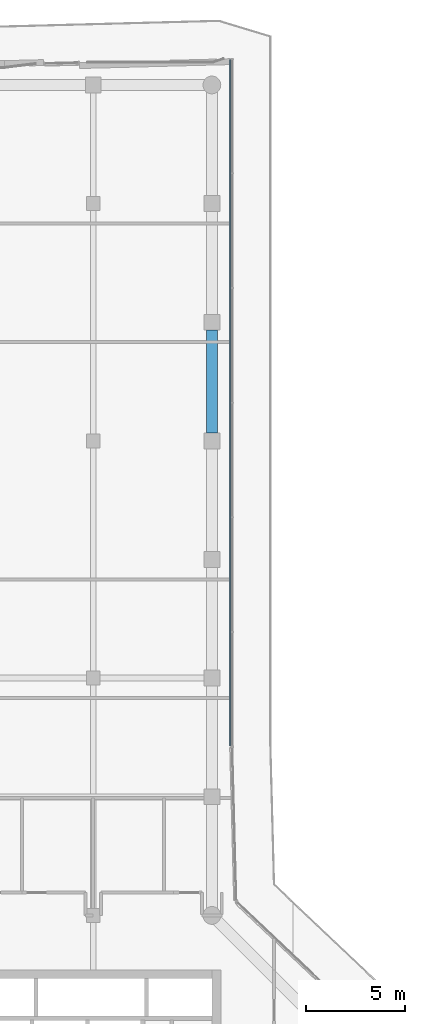
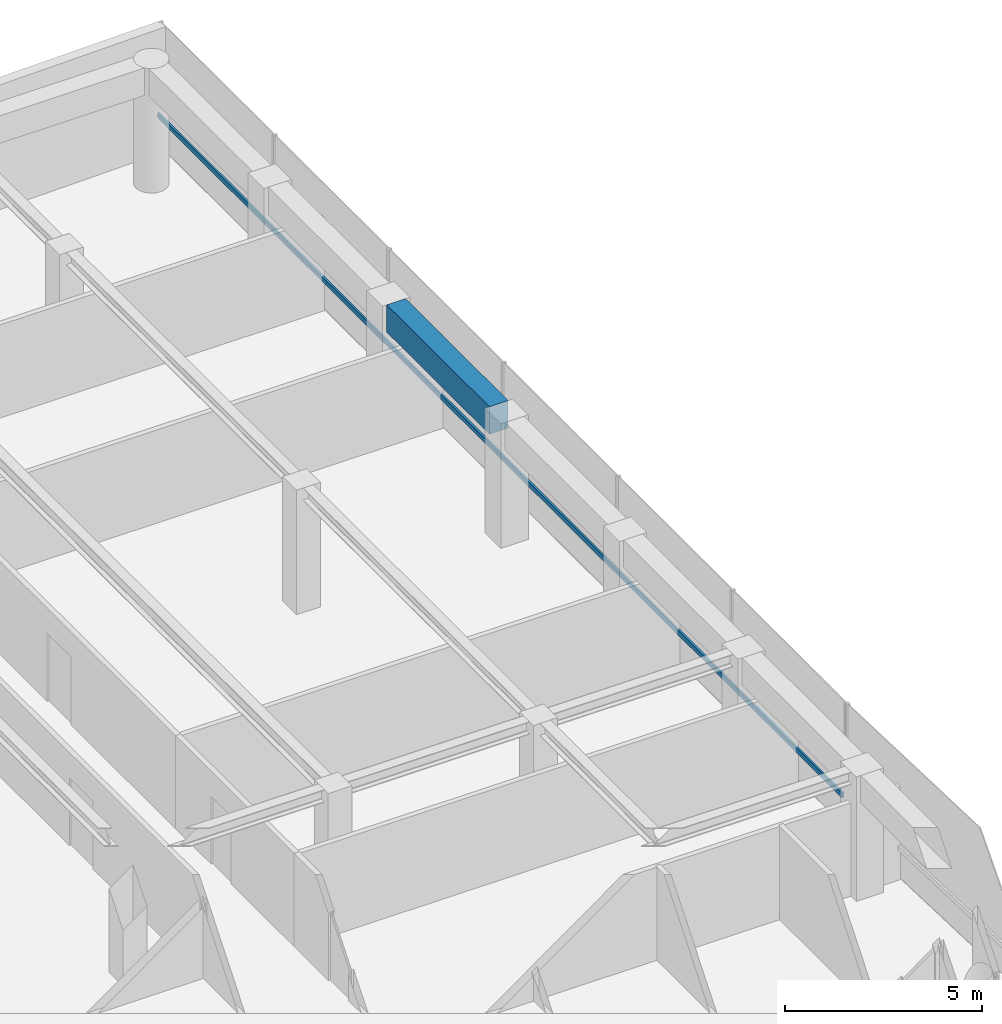
# One storey, part 12 of 20: 1 beam, 1 member, 1 element without a shape of its own.
"""IFC4 building model written with IfcOpenShell, lengths in metres."""

from ifc_helpers import new_model, si_unit, direction, frame, origin, origin_2d, place, context, subcontext, project, spatial, rectangle, extrude, material, layer, layer_set, material_profile, profile_set, type_object, element, aggregate, save


model = new_model("IFC4")

# Units and contexts
model_context = context("Model", 3, precision=1e-05, world=origin(), true_north=direction((0.0, 1.0)))
body_context = subcontext(model_context, "Body", "Model", "MODEL_VIEW")
ifc_project = project(units=[si_unit("LENGTHUNIT", "METRE"), si_unit("AREAUNIT", "SQUARE_METRE"), si_unit("VOLUMEUNIT", "CUBIC_METRE"), si_unit("PLANEANGLEUNIT", "RADIAN"), si_unit("MASSUNIT", "GRAM", prefix="KILO")], contexts=[model_context])

# Site, building, storey
site_placement = place(None, origin())
site = spatial("IfcSite", under=ifc_project, at=site_placement, CompositionType="ELEMENT")
building_placement = place(site_placement, origin())
building = spatial("IfcBuilding", under=site, at=building_placement, Name="Welwitschia Terrace Campus", CompositionType="ELEMENT")
storey_placement = place(building_placement, frame((0.0, 0.0, 222.199951171875)))
storey = spatial("IfcBuildingStorey", under=building, at=storey_placement, Name="L49", CompositionType="ELEMENT", Elevation=222.199951171875)

# Beam
ifc_material_1 = material(Name="Concrete C50/60", Category="concrete")
ifc_material_profile_1 = material_profile(ifc_material_1, rectangle(XDim=0.550048828125, YDim=0.85009765625, at=origin_2d()))
ifc_profile_set_1 = profile_set([ifc_material_profile_1], Name="Concrete C50/60")
beam_type = type_object("IfcBeamType", Name="Ring spandrel 550x850", PredefinedType="SPANDREL", material=ifc_profile_set_1)
beam_placement = place(storey_placement, frame((24.0, 52.400390625, 3.425048828125), z_axis=(0.0, 1.0, 0.0), x_axis=(-1.0, 0.0, 0.0)))
element("IfcBeam", 1, at=beam_placement, inside=storey, type_object=beam_type, Name="Spandrel SP3", PredefinedType="SPANDREL", context=body_context, shape_type="SweptSolid", body=[
    extrude(rectangle(XDim=0.550048828125, YDim=0.85009765625, at=origin_2d()), origin(), (0.0, 0.0, 1.0), 5.19921875),
])

# Curtain wall, member
ifc_material_2 = material(Name="Bronze anodised aluminium", Category="aluminium")
ifc_layer = layer(ifc_material_2, 0.1201171875)
ifc_layer_set = layer_set([ifc_layer], Name="Bronze anodised aluminium")
curtain_wall_type = type_object("IfcCurtainWallType", Name="Curtain wall CW2 tower 6000", PredefinedType="NOTDEFINED", material=ifc_layer_set)
curtain_wall_placement = place(storey_placement, origin())
curtain_wall = element("IfcCurtainWall", 2, at=curtain_wall_placement, inside=storey, type_object=curtain_wall_type, Name="CW L49.8.0", PredefinedType="NOTDEFINED")
ifc_material_3 = material(Name="Bronze anodised aluminium", Category="aluminium")
ifc_material_profile_2 = material_profile(ifc_material_3, rectangle(XDim=0.06005859375, YDim=0.14990234375, at=origin_2d()))
ifc_profile_set_2 = profile_set([ifc_material_profile_2], Name="Bronze anodised aluminium")
member_type = type_object("IfcMemberType", Name="Transom 60x150", PredefinedType="USERDEFINED", material=ifc_profile_set_2)
member_placement = place(storey_placement, frame((24.93994140625, 36.5927734375, 1.0), z_axis=(0.0, 1.0, 0.0), x_axis=(-1.0, 0.0, 0.0)))
member = element("IfcMember", 3, at=member_placement, type_object=member_type, Name="Transom L49.8.0", ObjectType="TRANSOM", PredefinedType="USERDEFINED", context=body_context, shape_type="SweptSolid", body=[
    extrude(rectangle(XDim=0.06005859375, YDim=0.14990234375, at=origin_2d()), origin(), (0.0, 0.0, 1.0), 34.6787109375),
])
aggregate(curtain_wall, [member])

save(model, "model.ifc")
